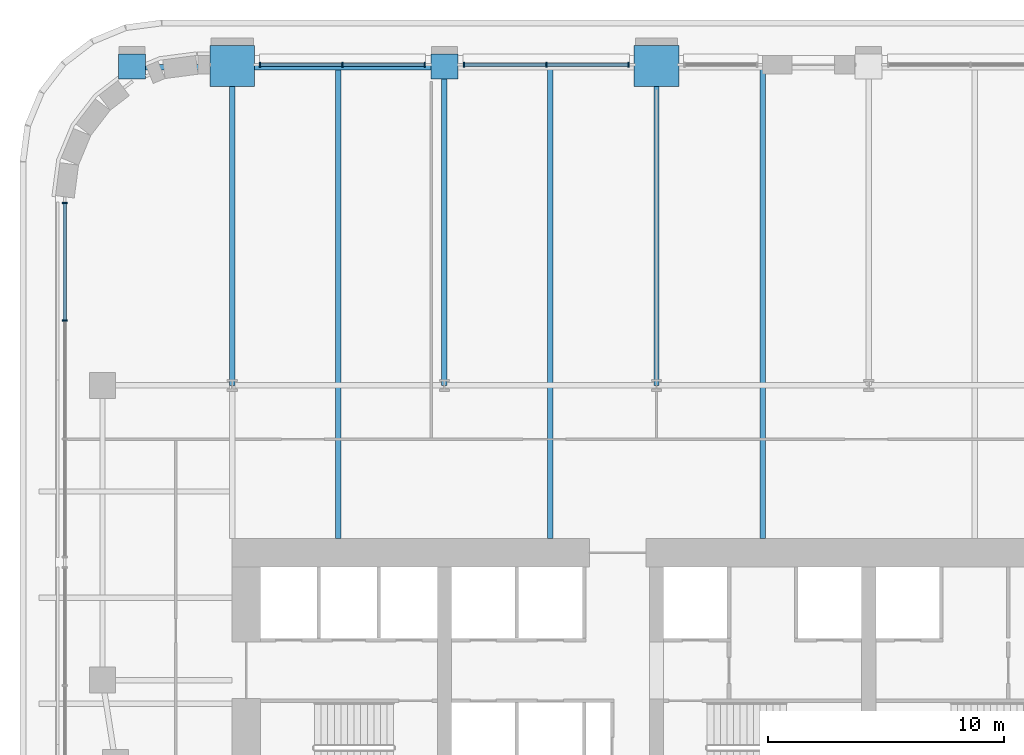
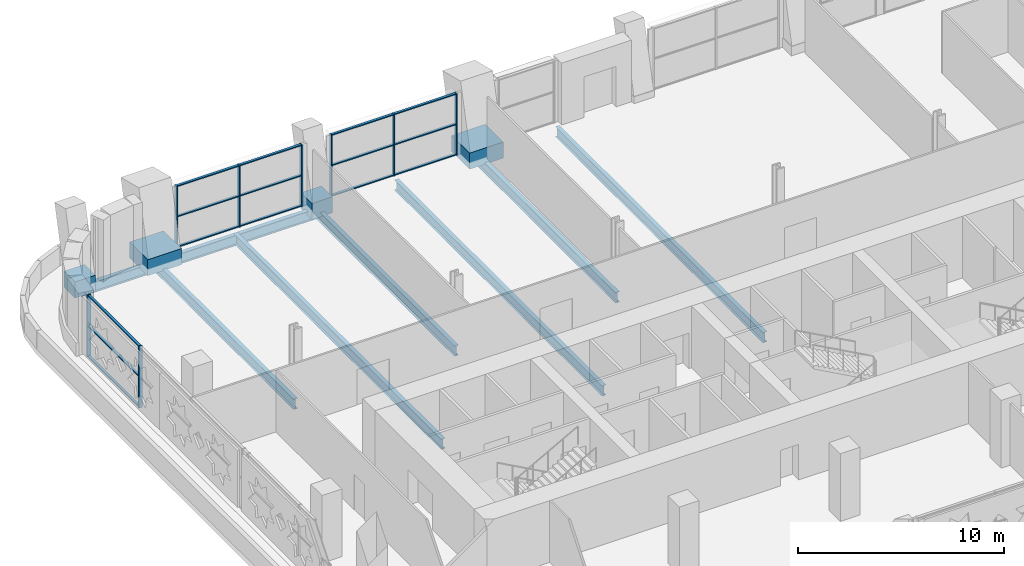
# One storey, part 8 of 26: 23 members, 11 beams, 3 elements without a shape of their own.
"""IFC4 building model written with IfcOpenShell, lengths in metres."""

from ifc_helpers import new_model, si_unit, direction, frame, origin, origin_2d, place, context, subcontext, project, spatial, rectangle, i_section, extrude, material, material_profile, profile_set, type_object, element, aggregate, save


model = new_model("IFC4")

# Units and contexts
model_context = context("Model", 3, precision=1e-05, world=origin(), true_north=direction((0.0, 1.0)))
body_context = subcontext(model_context, "Body", "Model", "MODEL_VIEW")
ifc_project = project(units=[si_unit("LENGTHUNIT", "METRE"), si_unit("AREAUNIT", "SQUARE_METRE"), si_unit("VOLUMEUNIT", "CUBIC_METRE"), si_unit("PLANEANGLEUNIT", "RADIAN"), si_unit("MASSUNIT", "GRAM", prefix="KILO")], contexts=[model_context])

# Site, building, storey
site_placement = place(None, origin())
site = spatial("IfcSite", under=ifc_project, at=site_placement, CompositionType="ELEMENT")
building_placement = place(site_placement, origin())
building = spatial("IfcBuilding", under=site, at=building_placement, Name="Zellij Exchange Tower", CompositionType="ELEMENT")
storey_placement = place(building_placement, frame((0.0, 0.0, 100.5)))
storey = spatial("IfcBuildingStorey", under=building, at=storey_placement, Name="L21", CompositionType="ELEMENT", Elevation=100.5)

# Curtain wall, members
ifc_material_1 = material(Name="Aluminium frame, clear insulating glass", Category="aluminium")
curtain_wall_type = type_object("IfcCurtainWallType", Name="ENV-CW6 Sky-lobby glazing", PredefinedType="NOTDEFINED", material=ifc_material_1)
curtain_wall_1_placement = place(storey_placement, origin())
curtain_wall_1 = element("IfcCurtainWall", 1, at=curtain_wall_1_placement, inside=storey, type_object=curtain_wall_type, Name="cw.L21.14h", PredefinedType="NOTDEFINED")
ifc_material_2 = material(Name="Aluminium", Category="aluminium")
ifc_material_profile_1 = material_profile(ifc_material_2, rectangle(XDim=0.06005859375, YDim=0.199951171875, at=origin_2d()), Name="AL 60x200")
ifc_profile_set_1 = profile_set([ifc_material_profile_1], Name="Aluminium")
member_type_1 = type_object("IfcMemberType", Name="ENV-CW6M Mullion 60x200", PredefinedType="MULLION", material=ifc_profile_set_1)
member_1_placement = place(storey_placement, frame((-10.179931640625, 18.10009765625, 0.0), z_axis=(0.0, 0.0, 1.0), x_axis=(-1.0, 0.0, 0.0)))
member_1 = element("IfcMember", 2, at=member_1_placement, type_object=member_type_1, Name="CW6 mullion 1", PredefinedType="MULLION", context=body_context, shape_type="SweptSolid", body=[
    extrude(rectangle(XDim=0.06005859375, YDim=0.199951171875, at=origin_2d()), origin(), (0.0, 0.0, 1.0), 3.64990234375),
])
member_2_placement = place(storey_placement, frame((-13.675048828125, 18.10009765625, 0.0), z_axis=(0.0, 0.0, 1.0), x_axis=(-1.0, 0.0, 0.0)))
member_2 = element("IfcMember", 3, at=member_2_placement, type_object=member_type_1, Name="CW6 mullion 2", PredefinedType="MULLION", context=body_context, shape_type="SweptSolid", body=[
    extrude(rectangle(XDim=0.06005859375, YDim=0.199951171875, at=origin_2d()), origin(), (0.0, 0.0, 1.0), 3.64990234375),
])
member_3_placement = place(storey_placement, frame((-17.169921875, 18.10009765625, 0.0), z_axis=(0.0, 0.0, 1.0), x_axis=(-1.0, 0.0, 0.0)))
member_3 = element("IfcMember", 4, at=member_3_placement, type_object=member_type_1, Name="CW6 mullion 3", PredefinedType="MULLION", context=body_context, shape_type="SweptSolid", body=[
    extrude(rectangle(XDim=0.06005859375, YDim=0.199951171875, at=origin_2d()), origin(), (0.0, 0.0, 1.0), 3.64990234375),
])

curtain_wall_2_placement = place(storey_placement, origin())
curtain_wall_2 = element("IfcCurtainWall", 5, at=curtain_wall_2_placement, inside=storey, type_object=curtain_wall_type, Name="cw.L21.14i", PredefinedType="NOTDEFINED")
member_4_placement = place(storey_placement, frame((-18.830078125, 18.10009765625, 0.0), z_axis=(0.0, 0.0, 1.0), x_axis=(-1.0, 0.0, 0.0)))
member_4 = element("IfcMember", 6, at=member_4_placement, type_object=member_type_1, Name="CW6 mullion 1", PredefinedType="MULLION", context=body_context, shape_type="SweptSolid", body=[
    extrude(rectangle(XDim=0.06005859375, YDim=0.199951171875, at=origin_2d()), origin(), (0.0, 0.0, 1.0), 3.64990234375),
])
member_5_placement = place(storey_placement, frame((-22.324951171875, 18.10009765625, 0.0), z_axis=(0.0, 0.0, 1.0), x_axis=(-1.0, 0.0, 0.0)))
member_5 = element("IfcMember", 7, at=member_5_placement, type_object=member_type_1, Name="CW6 mullion 2", PredefinedType="MULLION", context=body_context, shape_type="SweptSolid", body=[
    extrude(rectangle(XDim=0.06005859375, YDim=0.199951171875, at=origin_2d()), origin(), (0.0, 0.0, 1.0), 3.64990234375),
])
member_6_placement = place(storey_placement, frame((-25.820068359375, 18.10009765625, 0.0), z_axis=(0.0, 0.0, 1.0), x_axis=(-1.0, 0.0, 0.0)))
member_6 = element("IfcMember", 8, at=member_6_placement, type_object=member_type_1, Name="CW6 mullion 3", PredefinedType="MULLION", context=body_context, shape_type="SweptSolid", body=[
    extrude(rectangle(XDim=0.06005859375, YDim=0.199951171875, at=origin_2d()), origin(), (0.0, 0.0, 1.0), 3.64990234375),
])

curtain_wall_3_placement = place(storey_placement, origin())
curtain_wall_3 = element("IfcCurtainWall", 9, at=curtain_wall_3_placement, inside=storey, type_object=curtain_wall_type, Name="cw.L21.21a", PredefinedType="NOTDEFINED")
member_7_placement = place(storey_placement, frame((-34.10009765625, 12.243896484375, 0.0), z_axis=(0.0, 0.0, 1.0), x_axis=(0.0, -1.0, 0.0)))
member_7 = element("IfcMember", 10, at=member_7_placement, type_object=member_type_1, Name="CW6 mullion 1", PredefinedType="MULLION", context=body_context, shape_type="SweptSolid", body=[
    extrude(rectangle(XDim=0.06005859375, YDim=0.199951171875, at=origin_2d()), origin(), (0.0, 0.0, 1.0), 3.64990234375),
])
member_8_placement = place(storey_placement, frame((-34.10009765625, 7.249267578125, 0.0), z_axis=(0.0, 0.0, 1.0), x_axis=(0.0, -1.0, 0.0)))
member_8 = element("IfcMember", 11, at=member_8_placement, type_object=member_type_1, Name="CW6 mullion 2", PredefinedType="MULLION", context=body_context, shape_type="SweptSolid", body=[
    extrude(rectangle(XDim=0.06005859375, YDim=0.199951171875, at=origin_2d()), origin(), (0.0, 0.0, 1.0), 3.64990234375),
])

# Member
ifc_material_profile_2 = material_profile(ifc_material_2, rectangle(XDim=0.139892578125, YDim=0.06005859375, at=origin_2d()), Name="AL 140x60")
ifc_profile_set_2 = profile_set([ifc_material_profile_2], Name="Aluminium")
member_type_2 = type_object("IfcMemberType", Name="ENV-CW6T Transom 140x60", PredefinedType="USERDEFINED", material=ifc_profile_set_2)
member_9_placement = place(storey_placement, frame((-10.2099609375, 18.10009765625, 0.030029296875), z_axis=(-1.0, 0.0, 0.0), x_axis=(0.0, -1.0, 0.0)))
member_9 = element("IfcMember", 12, at=member_9_placement, type_object=member_type_2, Name="CW6 transom 1.1", ObjectType="TRANSOM", PredefinedType="USERDEFINED", context=body_context, shape_type="SweptSolid", body=[
    extrude(rectangle(XDim=0.139892578125, YDim=0.06005859375, at=origin_2d()), origin(), (0.0, 0.0, 1.0), 3.43505859375),
])

member_10_placement = place(storey_placement, frame((-10.2099609375, 18.10009765625, 1.824951171875), z_axis=(-1.0, 0.0, 0.0), x_axis=(0.0, -1.0, 0.0)))
member_10 = element("IfcMember", 13, at=member_10_placement, type_object=member_type_2, Name="CW6 transom 1.2", ObjectType="TRANSOM", PredefinedType="USERDEFINED", context=body_context, shape_type="SweptSolid", body=[
    extrude(rectangle(XDim=0.139892578125, YDim=0.06005859375, at=origin_2d()), origin(), (0.0, 0.0, 1.0), 3.43505859375),
])

member_11_placement = place(storey_placement, frame((-10.2099609375, 18.10009765625, 3.6201171875), z_axis=(-1.0, 0.0, 0.0), x_axis=(0.0, -1.0, 0.0)))
member_11 = element("IfcMember", 14, at=member_11_placement, type_object=member_type_2, Name="CW6 transom 1.3", ObjectType="TRANSOM", PredefinedType="USERDEFINED", context=body_context, shape_type="SweptSolid", body=[
    extrude(rectangle(XDim=0.139892578125, YDim=0.06005859375, at=origin_2d()), origin(), (0.0, 0.0, 1.0), 3.43505859375),
])

member_12_placement = place(storey_placement, frame((-13.705078125, 18.10009765625, 0.030029296875), z_axis=(-1.0, 0.0, 0.0), x_axis=(0.0, -1.0, 0.0)))
member_12 = element("IfcMember", 15, at=member_12_placement, type_object=member_type_2, Name="CW6 transom 2.1", ObjectType="TRANSOM", PredefinedType="USERDEFINED", context=body_context, shape_type="SweptSolid", body=[
    extrude(rectangle(XDim=0.139892578125, YDim=0.06005859375, at=origin_2d()), origin(), (0.0, 0.0, 1.0), 3.434814453125),
])

member_13_placement = place(storey_placement, frame((-13.705078125, 18.10009765625, 1.824951171875), z_axis=(-1.0, 0.0, 0.0), x_axis=(0.0, -1.0, 0.0)))
member_13 = element("IfcMember", 16, at=member_13_placement, type_object=member_type_2, Name="CW6 transom 2.2", ObjectType="TRANSOM", PredefinedType="USERDEFINED", context=body_context, shape_type="SweptSolid", body=[
    extrude(rectangle(XDim=0.139892578125, YDim=0.06005859375, at=origin_2d()), origin(), (0.0, 0.0, 1.0), 3.434814453125),
])

member_14_placement = place(storey_placement, frame((-13.705078125, 18.10009765625, 3.6201171875), z_axis=(-1.0, 0.0, 0.0), x_axis=(0.0, -1.0, 0.0)))
member_14 = element("IfcMember", 17, at=member_14_placement, type_object=member_type_2, Name="CW6 transom 2.3", ObjectType="TRANSOM", PredefinedType="USERDEFINED", context=body_context, shape_type="SweptSolid", body=[
    extrude(rectangle(XDim=0.139892578125, YDim=0.06005859375, at=origin_2d()), origin(), (0.0, 0.0, 1.0), 3.434814453125),
])

aggregate(curtain_wall_1, [member_1, member_2, member_3, member_9, member_10, member_11, member_12, member_13, member_14])

member_15_placement = place(storey_placement, frame((-18.860107421875, 18.10009765625, 0.030029296875), z_axis=(-1.0, 0.0, 0.0), x_axis=(0.0, -1.0, 0.0)))
member_15 = element("IfcMember", 18, at=member_15_placement, type_object=member_type_2, Name="CW6 transom 1.1", ObjectType="TRANSOM", PredefinedType="USERDEFINED", context=body_context, shape_type="SweptSolid", body=[
    extrude(rectangle(XDim=0.139892578125, YDim=0.06005859375, at=origin_2d()), origin(), (0.0, 0.0, 1.0), 3.434814453125),
])

member_16_placement = place(storey_placement, frame((-18.860107421875, 18.10009765625, 1.824951171875), z_axis=(-1.0, 0.0, 0.0), x_axis=(0.0, -1.0, 0.0)))
member_16 = element("IfcMember", 19, at=member_16_placement, type_object=member_type_2, Name="CW6 transom 1.2", ObjectType="TRANSOM", PredefinedType="USERDEFINED", context=body_context, shape_type="SweptSolid", body=[
    extrude(rectangle(XDim=0.139892578125, YDim=0.06005859375, at=origin_2d()), origin(), (0.0, 0.0, 1.0), 3.434814453125),
])

member_17_placement = place(storey_placement, frame((-18.860107421875, 18.10009765625, 3.6201171875), z_axis=(-1.0, 0.0, 0.0), x_axis=(0.0, -1.0, 0.0)))
member_17 = element("IfcMember", 20, at=member_17_placement, type_object=member_type_2, Name="CW6 transom 1.3", ObjectType="TRANSOM", PredefinedType="USERDEFINED", context=body_context, shape_type="SweptSolid", body=[
    extrude(rectangle(XDim=0.139892578125, YDim=0.06005859375, at=origin_2d()), origin(), (0.0, 0.0, 1.0), 3.434814453125),
])

member_18_placement = place(storey_placement, frame((-22.35498046875, 18.10009765625, 0.030029296875), z_axis=(-1.0, 0.0, 0.0), x_axis=(0.0, -1.0, 0.0)))
member_18 = element("IfcMember", 21, at=member_18_placement, type_object=member_type_2, Name="CW6 transom 2.1", ObjectType="TRANSOM", PredefinedType="USERDEFINED", context=body_context, shape_type="SweptSolid", body=[
    extrude(rectangle(XDim=0.139892578125, YDim=0.06005859375, at=origin_2d()), origin(), (0.0, 0.0, 1.0), 3.43505859375),
])

member_19_placement = place(storey_placement, frame((-22.35498046875, 18.10009765625, 1.824951171875), z_axis=(-1.0, 0.0, 0.0), x_axis=(0.0, -1.0, 0.0)))
member_19 = element("IfcMember", 22, at=member_19_placement, type_object=member_type_2, Name="CW6 transom 2.2", ObjectType="TRANSOM", PredefinedType="USERDEFINED", context=body_context, shape_type="SweptSolid", body=[
    extrude(rectangle(XDim=0.139892578125, YDim=0.06005859375, at=origin_2d()), origin(), (0.0, 0.0, 1.0), 3.43505859375),
])

member_20_placement = place(storey_placement, frame((-22.35498046875, 18.10009765625, 3.6201171875), z_axis=(-1.0, 0.0, 0.0), x_axis=(0.0, -1.0, 0.0)))
member_20 = element("IfcMember", 23, at=member_20_placement, type_object=member_type_2, Name="CW6 transom 2.3", ObjectType="TRANSOM", PredefinedType="USERDEFINED", context=body_context, shape_type="SweptSolid", body=[
    extrude(rectangle(XDim=0.139892578125, YDim=0.06005859375, at=origin_2d()), origin(), (0.0, 0.0, 1.0), 3.43505859375),
])

aggregate(curtain_wall_2, [member_4, member_5, member_6, member_15, member_16, member_17, member_18, member_19, member_20])

member_21_placement = place(storey_placement, frame((-34.10009765625, 12.2138671875, 0.030029296875), z_axis=(0.0, -1.0, 0.0), x_axis=(1.0, 0.0, 0.0)))
member_21 = element("IfcMember", 24, at=member_21_placement, type_object=member_type_2, Name="CW6 transom 1.1", ObjectType="TRANSOM", PredefinedType="USERDEFINED", context=body_context, shape_type="SweptSolid", body=[
    extrude(rectangle(XDim=0.139892578125, YDim=0.06005859375, at=origin_2d()), origin(), (0.0, 0.0, 1.0), 4.9345703125),
])

member_22_placement = place(storey_placement, frame((-34.10009765625, 12.2138671875, 1.824951171875), z_axis=(0.0, -1.0, 0.0), x_axis=(1.0, 0.0, 0.0)))
member_22 = element("IfcMember", 25, at=member_22_placement, type_object=member_type_2, Name="CW6 transom 1.2", ObjectType="TRANSOM", PredefinedType="USERDEFINED", context=body_context, shape_type="SweptSolid", body=[
    extrude(rectangle(XDim=0.139892578125, YDim=0.06005859375, at=origin_2d()), origin(), (0.0, 0.0, 1.0), 4.9345703125),
])

member_23_placement = place(storey_placement, frame((-34.10009765625, 12.2138671875, 3.6201171875), z_axis=(0.0, -1.0, 0.0), x_axis=(1.0, 0.0, 0.0)))
member_23 = element("IfcMember", 26, at=member_23_placement, type_object=member_type_2, Name="CW6 transom 1.3", ObjectType="TRANSOM", PredefinedType="USERDEFINED", context=body_context, shape_type="SweptSolid", body=[
    extrude(rectangle(XDim=0.139892578125, YDim=0.06005859375, at=origin_2d()), origin(), (0.0, 0.0, 1.0), 4.9345703125),
])

aggregate(curtain_wall_3, [member_7, member_8, member_21, member_22, member_23])

# Beams
ifc_material_3 = material(Name="Structural steel ASTM A992 Gr 50", Category="steel")
ifc_material_profile_3 = material_profile(ifc_material_3, i_section(OverallWidth=0.227783203125, OverallDepth=0.60205078125, WebThickness=0.010498046875, FlangeThickness=0.014892578125, at=origin_2d()), Name="W24x68")
ifc_profile_set_3 = profile_set([ifc_material_profile_3], Name="Structural steel ASTM A992 Gr 50")
beam_type_1 = type_object("IfcBeamType", Name="STR-BEAM W24x68", PredefinedType="BEAM", material=ifc_profile_set_3)
for number, where, z_axis, x_axis, name in (
    (27, (-22.5, -2.0, -0.60107421875), (0.0, 1.0, 0.0), (-1.0, 0.0, 0.0), "B5"),
    (28, (-13.5, -2.0, -0.60107421875), (0.0, 1.0, 0.0), (-1.0, 0.0, 0.0), "B5"),
    (29, (-4.5, -2.0, -0.60107421875), (0.0, 1.0, 0.0), (-1.0, 0.0, 0.0), "B5"),
):
    element("IfcBeam", number, at=place(storey_placement, frame(where, z_axis=z_axis, x_axis=x_axis)), inside=storey, type_object=beam_type_1, Name=name, PredefinedType="BEAM", context=body_context, shape_type="SweptSolid", body=[
        extrude(i_section(OverallWidth=0.227783203125, OverallDepth=0.60205078125, WebThickness=0.010498046875, FlangeThickness=0.014892578125, at=origin_2d()), origin(), (0.0, 0.0, 1.0), 20.114501953125),
    ])
ifc_material_profile_4 = material_profile(ifc_material_3, i_section(OverallWidth=0.22900390625, OverallDepth=0.612060546875, WebThickness=0.011962890625, FlangeThickness=0.01953125, at=origin_2d()), Name="W24x84")
ifc_profile_set_4 = profile_set([ifc_material_profile_4], Name="Structural steel ASTM A992 Gr 50")
beam_type_2 = type_object("IfcBeamType", Name="STR-GIRDER W24x84", PredefinedType="BEAM", material=ifc_profile_set_4)
beam_placement = place(storey_placement, frame((-31.25, 18.0, -0.606201171875), z_axis=(1.0, 0.0, 0.0), x_axis=(0.0, 1.0, 0.0)))
element("IfcBeam", 30, at=beam_placement, inside=storey, type_object=beam_type_2, Name="G4", PredefinedType="BEAM", context=body_context, shape_type="SweptSolid", body=[
    extrude(i_section(OverallWidth=0.22900390625, OverallDepth=0.612060546875, WebThickness=0.011962890625, FlangeThickness=0.01953125, at=origin_2d()), origin(), (0.0, 0.0, 1.0), 13.25),
])
for number, where, z_axis, x_axis, name in (
    (31, (-27.0, 4.5, -0.606201171875), (0.0, 1.0, 0.0), (-1.0, 0.0, 0.0), "G4"),
    (32, (-18.0, 4.5, -0.606201171875), (0.0, 1.0, 0.0), (-1.0, 0.0, 0.0), "G4"),
    (33, (-9.0, 4.5, -0.606201171875), (0.0, 1.0, 0.0), (-1.0, 0.0, 0.0), "G4"),
):
    element("IfcBeam", number, at=place(storey_placement, frame(where, z_axis=z_axis, x_axis=x_axis)), inside=storey, type_object=beam_type_2, Name=name, PredefinedType="BEAM", context=body_context, shape_type="SweptSolid", body=[
        extrude(i_section(OverallWidth=0.22900390625, OverallDepth=0.612060546875, WebThickness=0.011962890625, FlangeThickness=0.01953125, at=origin_2d()), origin(), (0.0, 0.0, 1.0), 13.5),
    ])
ifc_material_4 = material(Name="Concrete C70/85", Category="concrete")
ifc_material_profile_5 = material_profile(ifc_material_4, rectangle(XDim=1.14990234375, YDim=0.949951171875, at=origin_2d()), Name="STR-KNUCKLE BLOCK RC1150x950 C70/85")
ifc_profile_set_5 = profile_set([ifc_material_profile_5], Name="Concrete C70/85")
beam_type_3 = type_object("IfcBeamType", Name="STR-KNUCKLE BLOCK RC1150x950 C70/85", PredefinedType="BEAM", material=ifc_profile_set_5)
for number, where, z_axis, x_axis, name in (
    (34, (-31.25, 17.499755859375, -0.074951171875), (0.0, 1.0, 0.0), (-1.0, 0.0, 0.0), "KB5"),
    (35, (-18.0, 17.499755859375, -0.074951171875), (0.0, 1.0, 0.0), (-1.0, 0.0, 0.0), "KB5"),
):
    element("IfcBeam", number, at=place(storey_placement, frame(where, z_axis=z_axis, x_axis=x_axis)), inside=storey, type_object=beam_type_3, Name=name, PredefinedType="BEAM", context=body_context, shape_type="SweptSolid", body=[
        extrude(rectangle(XDim=1.14990234375, YDim=0.949951171875, at=origin_2d()), origin(), (0.0, 0.0, 1.0), 1.067138671875),
    ])
ifc_material_profile_6 = material_profile(ifc_material_4, rectangle(XDim=1.89990234375, YDim=0.949951171875, at=origin_2d()), Name="STR-KNUCKLE BLOCK RC1900x950 C70/85")
ifc_profile_set_6 = profile_set([ifc_material_profile_6], Name="Concrete C70/85")
beam_type_4 = type_object("IfcBeamType", Name="STR-KNUCKLE BLOCK RC1900x950 C70/85", PredefinedType="BEAM", material=ifc_profile_set_6)
for number, where, z_axis, x_axis, name in (
    (36, (-27.0, 17.181396484375, 0.074951171875), (0.0, 1.0, 0.0), (-1.0, 0.0, 0.0), "KB10"),
    (37, (-9.0, 17.181396484375, 0.074951171875), (0.0, 1.0, 0.0), (-1.0, 0.0, 0.0), "KB10"),
):
    element("IfcBeam", number, at=place(storey_placement, frame(where, z_axis=z_axis, x_axis=x_axis)), inside=storey, type_object=beam_type_4, Name=name, PredefinedType="BEAM", context=body_context, shape_type="SweptSolid", body=[
        extrude(rectangle(XDim=1.89990234375, YDim=0.949951171875, at=origin_2d()), origin(), (0.0, 0.0, 1.0), 1.746337890625),
    ])

save(model, "model.ifc")
